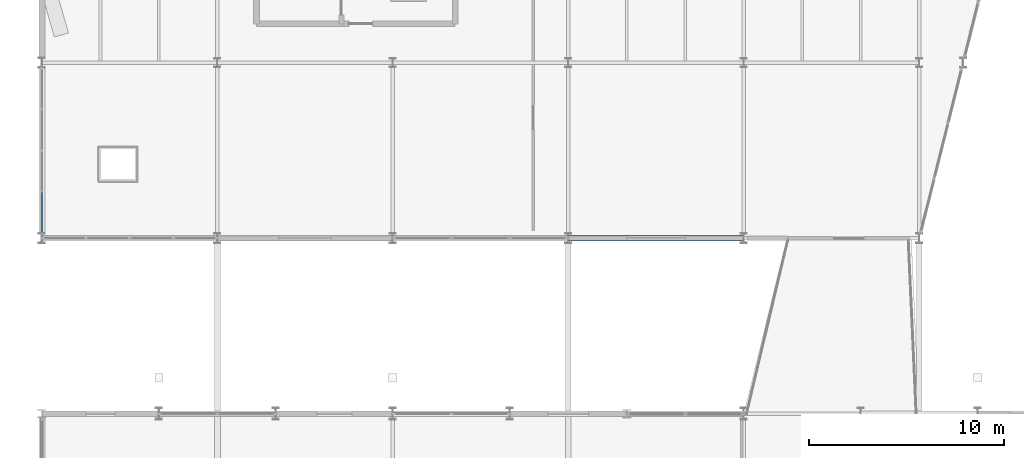
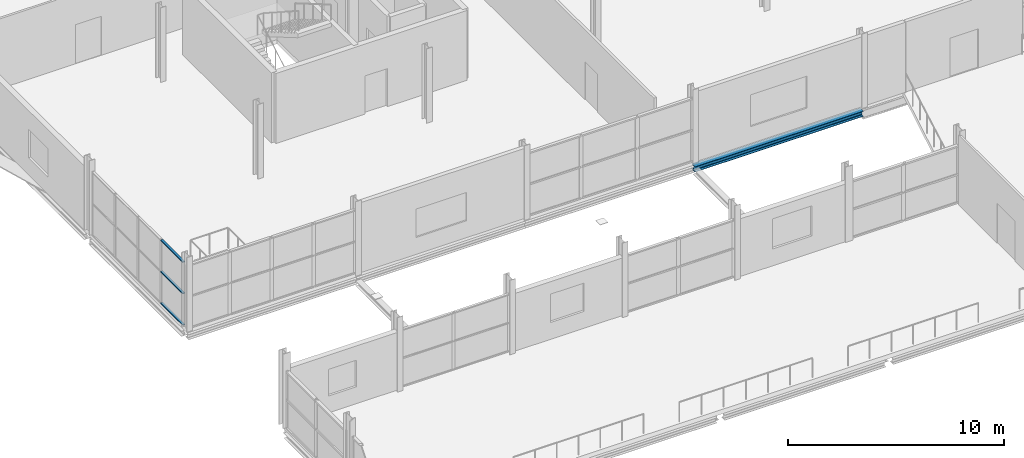
# One storey, part 44 of 135: 3 members, 1 beam, 1 element without a shape of its own.
"""IFC4 building model written with IfcOpenShell, lengths in metres."""

from ifc_helpers import new_model, si_unit, direction, frame, origin, origin_2d, place, context, subcontext, project, spatial, hollow_rectangle, i_section, extrude, material, layer, layer_set, material_profile, profile_set, type_object, element, aggregate, save


model = new_model("IFC4")

# Units and contexts
model_context = context("Model", 3, precision=1e-05, world=origin(), true_north=direction((0.0, 1.0)))
body_context = subcontext(model_context, "Body", "Model", "MODEL_VIEW")
ifc_project = project(units=[si_unit("LENGTHUNIT", "METRE"), si_unit("AREAUNIT", "SQUARE_METRE"), si_unit("VOLUMEUNIT", "CUBIC_METRE"), si_unit("PLANEANGLEUNIT", "RADIAN"), si_unit("MASSUNIT", "GRAM", prefix="KILO")], contexts=[model_context])

# Site, building, storey
site_placement = place(None, origin())
site = spatial("IfcSite", under=ifc_project, at=site_placement, CompositionType="ELEMENT")
building_placement = place(site_placement, origin())
building = spatial("IfcBuilding", under=site, at=building_placement, Name="Deido Ridge Mobility Hub", CompositionType="ELEMENT")
storey_placement = place(building_placement, frame((0.0, 0.0, 4.199951171875)))
storey = spatial("IfcBuildingStorey", under=building, at=storey_placement, Name="L01", CompositionType="ELEMENT", Elevation=4.199951171875)

# Curtain wall, members
ifc_material_1 = material(Name="Anodised aluminium EN AW-6063 T6", Category="aluminium")
ifc_layer = layer(ifc_material_1, 0.179931640625, Name="Anodised aluminium EN AW-6063 T6")
ifc_layer_set = layer_set([ifc_layer], Name="Anodised aluminium EN AW-6063 T6")
curtain_wall_type = type_object("IfcCurtainWallType", Name="CW-UF-2", PredefinedType="USERDEFINED", material=ifc_layer_set)
curtain_wall_placement = place(storey_placement, origin())
curtain_wall = element("IfcCurtainWall", 1, at=curtain_wall_placement, inside=storey, type_object=curtain_wall_type, Name="Unitised curtain wall CW2", ObjectType="UNITISED FACADE", PredefinedType="USERDEFINED")
ifc_material_profile_1 = material_profile(ifc_material_1, hollow_rectangle(XDim=0.114990234375, YDim=0.054931640625, WallThickness=0.00390625, at=origin_2d()), Name="RHS 115x55x4")
ifc_profile_set_1 = profile_set([ifc_material_profile_1], Name="Anodised aluminium EN AW-6063 T6")
member_type = type_object("IfcMemberType", Name="MEM-TRN-115X55", PredefinedType="USERDEFINED", material=ifc_profile_set_1)
member_1_placement = place(storey_placement, frame((0.0, 45.304931640625, 0.027587890625), z_axis=(0.0, 1.0, 0.0), x_axis=(-1.0, 0.0, 0.0)))
member_1 = element("IfcMember", 2, at=member_1_placement, type_object=member_type, Name="CW2 transom 1.1", ObjectType="TRANSOM", PredefinedType="USERDEFINED", context=body_context, shape_type="SweptSolid", body=[
    extrude(hollow_rectangle(XDim=0.114990234375, YDim=0.054931640625, WallThickness=0.00390625, at=origin_2d()), origin(), (0.0, 0.0, 1.0), 2.04248046875),
])
member_2_placement = place(storey_placement, frame((0.0, 45.304931640625, 1.800048828125), z_axis=(0.0, 1.0, 0.0), x_axis=(-1.0, 0.0, 0.0)))
member_2 = element("IfcMember", 3, at=member_2_placement, type_object=member_type, Name="CW2 transom 1.2", ObjectType="TRANSOM", PredefinedType="USERDEFINED", context=body_context, shape_type="SweptSolid", body=[
    extrude(hollow_rectangle(XDim=0.114990234375, YDim=0.054931640625, WallThickness=0.00390625, at=origin_2d()), origin(), (0.0, 0.0, 1.0), 2.04248046875),
])
member_3_placement = place(storey_placement, frame((0.0, 45.304931640625, 3.572509765625), z_axis=(0.0, 1.0, 0.0), x_axis=(-1.0, 0.0, 0.0)))
member_3 = element("IfcMember", 4, at=member_3_placement, type_object=member_type, Name="CW2 transom 1.3", ObjectType="TRANSOM", PredefinedType="USERDEFINED", context=body_context, shape_type="SweptSolid", body=[
    extrude(hollow_rectangle(XDim=0.114990234375, YDim=0.054931640625, WallThickness=0.00390625, at=origin_2d()), origin(), (0.0, 0.0, 1.0), 2.04248046875),
])
aggregate(curtain_wall, [member_1, member_2, member_3])

# Beam
ifc_material_2 = material(Name="Steel S355J2 EN 10025-2", Category="steel")
ifc_material_profile_2 = material_profile(ifc_material_2, i_section(OverallWidth=0.300048828125, OverallDepth=0.300048828125, WebThickness=0.010986328125, FlangeThickness=0.01904296875, FilletRadius=0.027099609375, at=origin_2d()), Name="HEB 300")
ifc_profile_set_2 = profile_set([ifc_material_profile_2], Name="Steel S355J2 EN 10025-2")
beam_type = type_object("IfcBeamType", Name="SPD-HEB300", PredefinedType="SPANDREL", material=ifc_profile_set_2)
beam_placement = place(storey_placement, frame((27.007080078125, 45.0, -0.39990234375), z_axis=(1.0, 0.0, 0.0), x_axis=(0.0, 1.0, 0.0)))
element("IfcBeam", 5, at=beam_placement, inside=storey, type_object=beam_type, Name="Floor beam SP1", PredefinedType="SPANDREL", context=body_context, shape_type="SweptSolid", body=[
    extrude(i_section(OverallWidth=0.300048828125, OverallDepth=0.300048828125, WebThickness=0.010986328125, FlangeThickness=0.01904296875, FilletRadius=0.027099609375, at=origin_2d()), origin(), (0.0, 0.0, 1.0), 8.98583984375),
])

save(model, "model.ifc")
